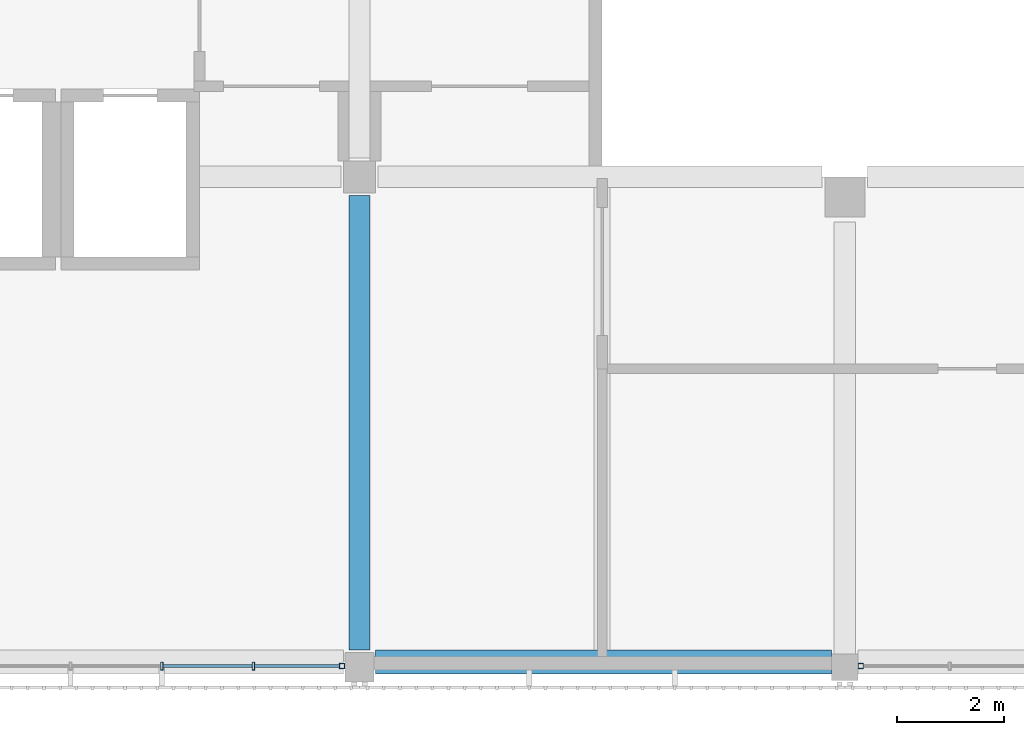
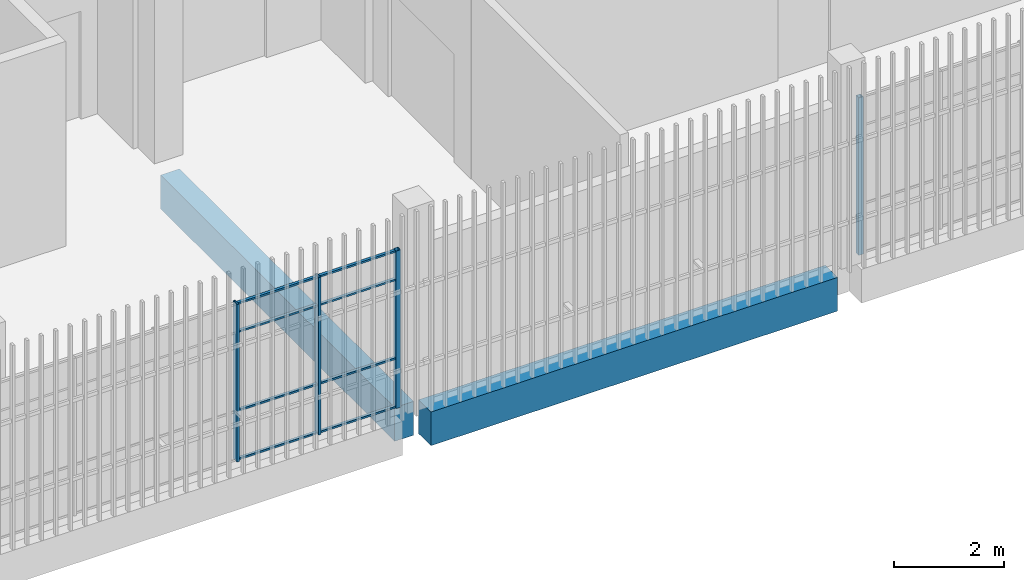
# One storey, part 9 of 124: 12 members, 2 beams, 2 elements without a shape of their own.
"""IFC4 building model written with IfcOpenShell, lengths in metres."""

from ifc_helpers import new_model, si_unit, direction, frame, origin, origin_2d, place, context, subcontext, project, spatial, rectangle, hollow_rectangle, extrude, material, layer, layer_set, material_profile, profile_set, type_object, element, aggregate, save


model = new_model("IFC4")

# Units and contexts
model_context = context("Model", 3, precision=1e-05, world=origin(), true_north=direction((0.0, 1.0)))
body_context = subcontext(model_context, "Body", "Model", "MODEL_VIEW")
ifc_project = project(units=[si_unit("LENGTHUNIT", "METRE"), si_unit("AREAUNIT", "SQUARE_METRE"), si_unit("VOLUMEUNIT", "CUBIC_METRE"), si_unit("PLANEANGLEUNIT", "RADIAN"), si_unit("MASSUNIT", "GRAM", prefix="KILO")], contexts=[model_context])

# Site, building, storey
site_placement = place(None, origin())
site = spatial("IfcSite", under=ifc_project, at=site_placement, CompositionType="ELEMENT")
building_placement = place(site_placement, origin())
building = spatial("IfcBuilding", under=site, at=building_placement, Name="Shirokan Park Arena", CompositionType="ELEMENT")
storey_placement = place(building_placement, frame((0.0, 0.0, 20.02001953125)))
storey = spatial("IfcBuildingStorey", under=building, at=storey_placement, Name="L04", CompositionType="ELEMENT", Elevation=20.02001953125)

# Curtain wall, member
ifc_material_1 = material(Name="Steel and glass curtain wall", Category="steel")
ifc_layer = layer(ifc_material_1, 0.14990234375)
ifc_layer_set = layer_set([ifc_layer], Name="Steel and glass curtain wall 150 mm")
curtain_wall_type = type_object("IfcCurtainWallType", Name="Curtain wall exposed bay 150", PredefinedType="NOTDEFINED", material=ifc_layer_set)
curtain_wall_1_placement = place(storey_placement, origin())
curtain_wall_1 = element("IfcCurtainWall", 1, at=curtain_wall_1_placement, inside=storey, type_object=curtain_wall_type, Name="Curtain wall south bay 4 L04", PredefinedType="NOTDEFINED")
ifc_material_2 = material(Name="Steel S355", Category="steel")
ifc_material_profile_1 = material_profile(ifc_material_2, hollow_rectangle(XDim=0.10009765625, YDim=0.10009765625, WallThickness=0.006103515625, at=origin_2d()), Name="RHS 100x100x6")
ifc_profile_set_1 = profile_set([ifc_material_profile_1], Name="Steel S355")
member_type_1 = type_object("IfcMemberType", Name="Mullion RHS 100x100x6", PredefinedType="MULLION", material=ifc_profile_set_1)
member_1_placement = place(storey_placement, frame((36.074951171875, -0.074951171875, 0.0), z_axis=(0.0, 0.0, 1.0), x_axis=(0.0, 1.0, 0.0)))
member_1 = element("IfcMember", 2, at=member_1_placement, type_object=member_type_1, Name="CW1 mullion 6", PredefinedType="MULLION", context=body_context, shape_type="SweptSolid", body=[
    extrude(hollow_rectangle(XDim=0.10009765625, YDim=0.10009765625, WallThickness=0.006103515625, at=origin_2d()), origin(), (0.0, 0.0, 1.0), 3.5),
])

curtain_wall_2_placement = place(storey_placement, origin())
curtain_wall_2 = element("IfcCurtainWall", 3, at=curtain_wall_2_placement, inside=storey, type_object=curtain_wall_type, Name="Curtain wall south bay 6 L04", PredefinedType="NOTDEFINED")
member_2_placement = place(storey_placement, frame((45.800048828125, -0.074951171875, 0.0), z_axis=(0.0, 0.0, 1.0), x_axis=(0.0, 1.0, 0.0)))
member_2 = element("IfcMember", 4, at=member_2_placement, type_object=member_type_1, Name="CW1 mullion 1", PredefinedType="MULLION", context=body_context, shape_type="SweptSolid", body=[
    extrude(hollow_rectangle(XDim=0.10009765625, YDim=0.10009765625, WallThickness=0.006103515625, at=origin_2d()), origin(), (0.0, 0.0, 1.0), 3.5),
])
aggregate(curtain_wall_2, [member_2])

# Member
ifc_material_profile_2 = material_profile(ifc_material_2, hollow_rectangle(XDim=0.14990234375, YDim=0.050048828125, WallThickness=0.006103515625, at=origin_2d()), Name="RHS 150x50x6")
ifc_profile_set_2 = profile_set([ifc_material_profile_2], Name="Steel S355")
member_type_2 = type_object("IfcMemberType", Name="Mullion RHS 150x50x6", PredefinedType="MULLION", material=ifc_profile_set_2)
member_3_placement = place(storey_placement, frame((32.695068359375, -0.074951171875, 0.0), z_axis=(0.0, 0.0, 1.0), x_axis=(0.0, 1.0, 0.0)))
member_3 = element("IfcMember", 5, at=member_3_placement, type_object=member_type_2, Name="CW1 mullion 4", PredefinedType="MULLION", context=body_context, shape_type="SweptSolid", body=[
    extrude(hollow_rectangle(XDim=0.14990234375, YDim=0.050048828125, WallThickness=0.006103515625, at=origin_2d()), origin(), (0.0, 0.0, 1.0), 3.5),
])

member_4_placement = place(storey_placement, frame((34.409912109375, -0.074951171875, 0.0), z_axis=(0.0, 0.0, 1.0), x_axis=(0.0, 1.0, 0.0)))
member_4 = element("IfcMember", 6, at=member_4_placement, type_object=member_type_2, Name="CW1 mullion 5", PredefinedType="MULLION", context=body_context, shape_type="SweptSolid", body=[
    extrude(hollow_rectangle(XDim=0.14990234375, YDim=0.050048828125, WallThickness=0.006103515625, at=origin_2d()), origin(), (0.0, 0.0, 1.0), 3.5),
])

# Beams
ifc_material_3 = material(Name="Concrete C35", Category="concrete")
ifc_material_profile_3 = material_profile(ifc_material_3, rectangle(XDim=0.39990234375, YDim=0.75, at=origin_2d()), Name="400x750")
ifc_profile_set_3 = profile_set([ifc_material_profile_3], Name="Concrete C35")
beam_type_1 = type_object("IfcBeamType", Name="RC girder 400x750", PredefinedType="BEAM", material=ifc_profile_set_3)
beam_1_placement = place(storey_placement, frame((36.39990234375, 0.22509765625, -0.625), z_axis=(0.0, 1.0, 0.0), x_axis=(-1.0, 0.0, 0.0)))
element("IfcBeam", 7, at=beam_1_placement, inside=storey, type_object=beam_type_1, Name="Girder 5A-5B L04", PredefinedType="BEAM", context=body_context, shape_type="SweptSolid", body=[
    extrude(rectangle(XDim=0.39990234375, YDim=0.75, at=origin_2d()), origin(), (0.0, 0.0, 1.0), 8.52490234375),
])
ifc_material_profile_4 = material_profile(ifc_material_3, rectangle(XDim=0.449951171875, YDim=0.75, at=origin_2d()), Name="450x750")
ifc_profile_set_4 = profile_set([ifc_material_profile_4], Name="Concrete C35")
beam_type_2 = type_object("IfcBeamType", Name="RC girder 450x750", PredefinedType="BEAM", material=ifc_profile_set_4)
beam_2_placement = place(storey_placement, frame((36.7001953125, 0.0, -0.625), z_axis=(1.0, 0.0, 0.0), x_axis=(0.0, 1.0, 0.0)))
element("IfcBeam", 8, at=beam_2_placement, inside=storey, type_object=beam_type_2, Name="Girder 5A-6A L04", PredefinedType="BEAM", context=body_context, shape_type="SweptSolid", body=[
    extrude(rectangle(XDim=0.449951171875, YDim=0.75, at=origin_2d()), origin(), (0.0, 0.0, 1.0), 8.5498046875),
])

# Member
ifc_material_profile_5 = material_profile(ifc_material_2, hollow_rectangle(XDim=0.06005859375, YDim=0.0400390625, WallThickness=0.00390625, at=origin_2d()), Name="RHS 60x40x4")
ifc_profile_set_5 = profile_set([ifc_material_profile_5], Name="Steel S355")
member_type_3 = type_object("IfcMemberType", Name="Transom RHS 60x40x4", PredefinedType="MULLION", material=ifc_profile_set_5)
member_5_placement = place(storey_placement, frame((32.719970703125, -0.074951171875, 0.02001953125), z_axis=(1.0, 0.0, 0.0), x_axis=(0.0, 1.0, 0.0)))
member_5 = element("IfcMember", 9, at=member_5_placement, type_object=member_type_3, Name="CW1 transom 4.1", PredefinedType="MULLION", context=body_context, shape_type="SweptSolid", body=[
    extrude(hollow_rectangle(XDim=0.06005859375, YDim=0.0400390625, WallThickness=0.00390625, at=origin_2d()), origin(), (0.0, 0.0, 1.0), 1.6650390625),
])

member_6_placement = place(storey_placement, frame((32.719970703125, -0.074951171875, 1.10009765625), z_axis=(1.0, 0.0, 0.0), x_axis=(0.0, 1.0, 0.0)))
member_6 = element("IfcMember", 10, at=member_6_placement, type_object=member_type_3, Name="CW1 transom 4.2", PredefinedType="MULLION", context=body_context, shape_type="SweptSolid", body=[
    extrude(hollow_rectangle(XDim=0.06005859375, YDim=0.0400390625, WallThickness=0.00390625, at=origin_2d()), origin(), (0.0, 0.0, 1.0), 1.6650390625),
])

member_7_placement = place(storey_placement, frame((32.719970703125, -0.074951171875, 2.85009765625), z_axis=(1.0, 0.0, 0.0), x_axis=(0.0, 1.0, 0.0)))
member_7 = element("IfcMember", 11, at=member_7_placement, type_object=member_type_3, Name="CW1 transom 4.3", PredefinedType="MULLION", context=body_context, shape_type="SweptSolid", body=[
    extrude(hollow_rectangle(XDim=0.06005859375, YDim=0.0400390625, WallThickness=0.00390625, at=origin_2d()), origin(), (0.0, 0.0, 1.0), 1.6650390625),
])

member_8_placement = place(storey_placement, frame((32.719970703125, -0.074951171875, 3.47998046875), z_axis=(1.0, 0.0, 0.0), x_axis=(0.0, 1.0, 0.0)))
member_8 = element("IfcMember", 12, at=member_8_placement, type_object=member_type_3, Name="CW1 transom 4.4", PredefinedType="MULLION", context=body_context, shape_type="SweptSolid", body=[
    extrude(hollow_rectangle(XDim=0.06005859375, YDim=0.0400390625, WallThickness=0.00390625, at=origin_2d()), origin(), (0.0, 0.0, 1.0), 1.6650390625),
])

member_9_placement = place(storey_placement, frame((34.43505859375, -0.074951171875, 0.02001953125), z_axis=(1.0, 0.0, 0.0), x_axis=(0.0, 1.0, 0.0)))
member_9 = element("IfcMember", 13, at=member_9_placement, type_object=member_type_3, Name="CW1 transom 5.1", PredefinedType="MULLION", context=body_context, shape_type="SweptSolid", body=[
    extrude(hollow_rectangle(XDim=0.06005859375, YDim=0.0400390625, WallThickness=0.00390625, at=origin_2d()), origin(), (0.0, 0.0, 1.0), 1.58984375),
])

member_10_placement = place(storey_placement, frame((34.43505859375, -0.074951171875, 1.10009765625), z_axis=(1.0, 0.0, 0.0), x_axis=(0.0, 1.0, 0.0)))
member_10 = element("IfcMember", 14, at=member_10_placement, type_object=member_type_3, Name="CW1 transom 5.2", PredefinedType="MULLION", context=body_context, shape_type="SweptSolid", body=[
    extrude(hollow_rectangle(XDim=0.06005859375, YDim=0.0400390625, WallThickness=0.00390625, at=origin_2d()), origin(), (0.0, 0.0, 1.0), 1.58984375),
])

member_11_placement = place(storey_placement, frame((34.43505859375, -0.074951171875, 2.85009765625), z_axis=(1.0, 0.0, 0.0), x_axis=(0.0, 1.0, 0.0)))
member_11 = element("IfcMember", 15, at=member_11_placement, type_object=member_type_3, Name="CW1 transom 5.3", PredefinedType="MULLION", context=body_context, shape_type="SweptSolid", body=[
    extrude(hollow_rectangle(XDim=0.06005859375, YDim=0.0400390625, WallThickness=0.00390625, at=origin_2d()), origin(), (0.0, 0.0, 1.0), 1.58984375),
])

member_12_placement = place(storey_placement, frame((34.43505859375, -0.074951171875, 3.47998046875), z_axis=(1.0, 0.0, 0.0), x_axis=(0.0, 1.0, 0.0)))
member_12 = element("IfcMember", 16, at=member_12_placement, type_object=member_type_3, Name="CW1 transom 5.4", PredefinedType="MULLION", context=body_context, shape_type="SweptSolid", body=[
    extrude(hollow_rectangle(XDim=0.06005859375, YDim=0.0400390625, WallThickness=0.00390625, at=origin_2d()), origin(), (0.0, 0.0, 1.0), 1.58984375),
])

aggregate(curtain_wall_1, [member_3, member_4, member_1, member_5, member_6, member_7, member_8, member_9, member_10, member_11, member_12])

save(model, "model.ifc")
